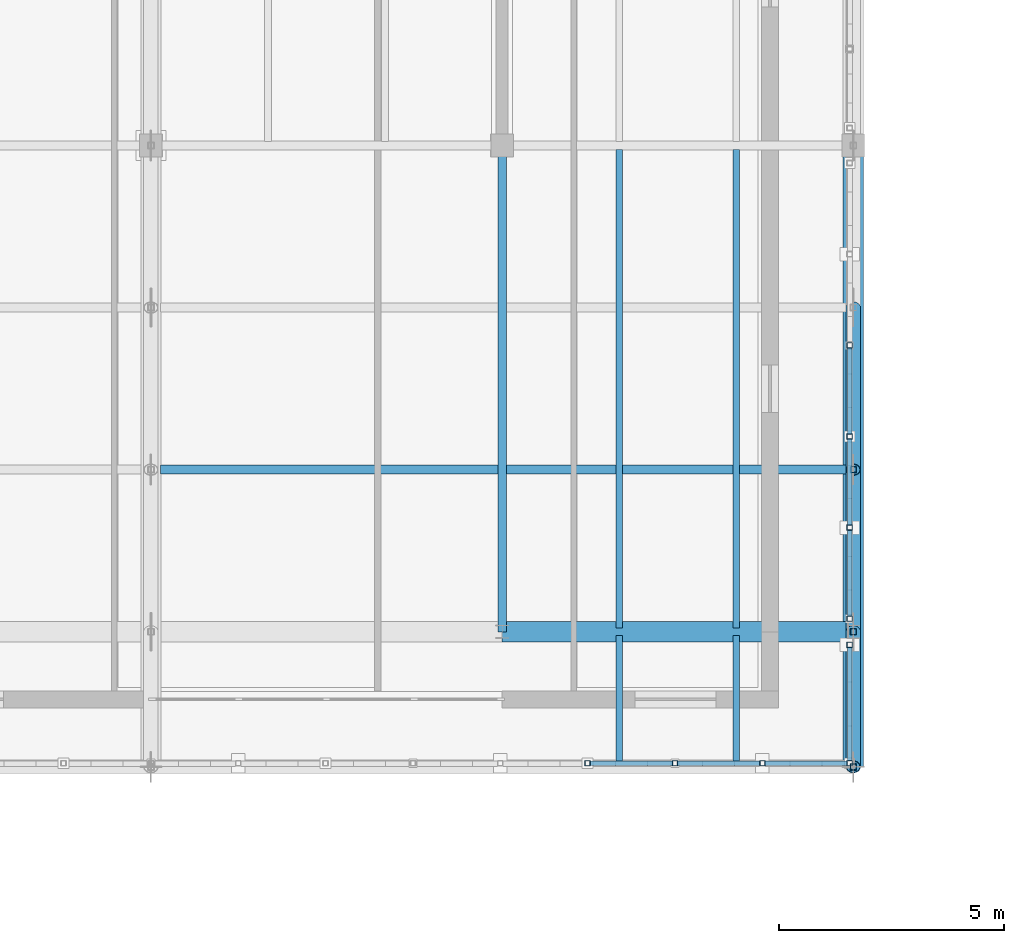
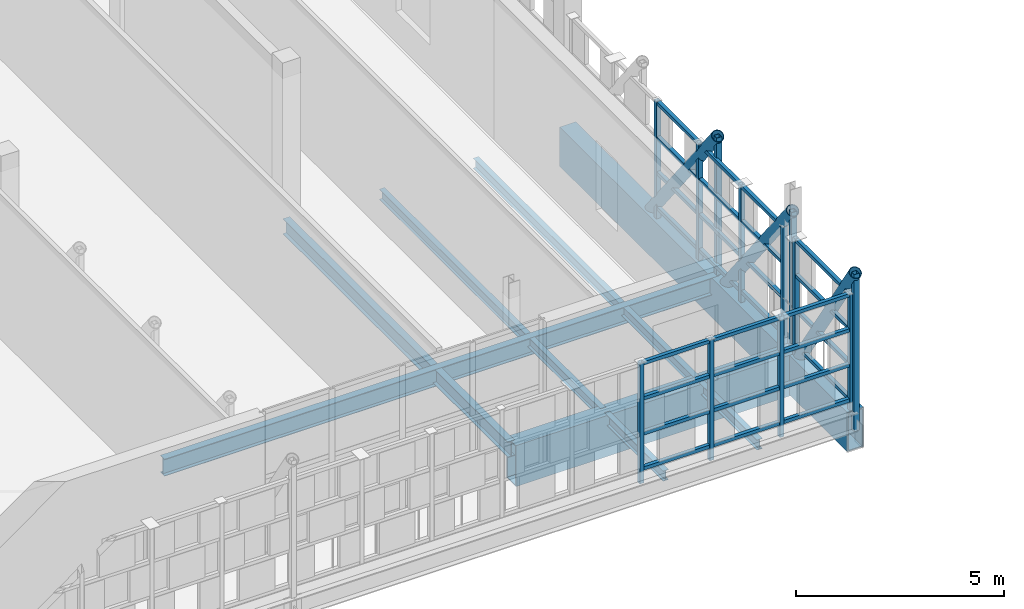
# One storey, part 26 of 89: 43 members, 8 beams.
"""IFC4 building model written with IfcOpenShell, lengths in metres."""

from ifc_helpers import new_model, si_unit, direction, frame, origin, origin_2d, place, context, subcontext, project, spatial, hollow_rectangle, hollow_circle, i_section, extrude, material, material_profile, profile_set, type_object, element, save


model = new_model("IFC4")

# Units and contexts
model_context = context("Model", 3, precision=1e-05, world=origin(), true_north=direction((0.0, 1.0)))
body_context = subcontext(model_context, "Body", "Model", "MODEL_VIEW")
ifc_project = project(units=[si_unit("LENGTHUNIT", "METRE"), si_unit("AREAUNIT", "SQUARE_METRE"), si_unit("VOLUMEUNIT", "CUBIC_METRE"), si_unit("PLANEANGLEUNIT", "RADIAN"), si_unit("MASSUNIT", "GRAM", prefix="KILO")], contexts=[model_context])

# Site, building, storey
site_placement = place(None, origin())
site = spatial("IfcSite", under=ifc_project, at=site_placement, CompositionType="ELEMENT")
building_placement = place(site_placement, origin())
building = spatial("IfcBuilding", under=site, at=building_placement, Name="Celorna Specialist Clinic", CompositionType="ELEMENT")
storey_placement = place(building_placement, frame((0.0, 0.0, 14.10009765625)))
storey = spatial("IfcBuildingStorey", under=building, at=storey_placement, Name="L03", CompositionType="ELEMENT", Elevation=14.10009765625)

# Beams
ifc_material = material(Name="Steel S355", Category="steel")
ifc_material_profile_1 = material_profile(ifc_material, hollow_rectangle(XDim=0.449951171875, YDim=1.14990234375, WallThickness=0.031982421875, at=origin_2d()), Name="BOX 450x1150x32")
ifc_profile_set_1 = profile_set([ifc_material_profile_1], Name="Steel S355")
beam_type_1 = type_object("IfcBeamType", Name="BM-01", PredefinedType="BEAM", material=ifc_profile_set_1)
beam_1_placement = place(storey_placement, frame((85.800048828125, 5.699951171875, -0.835205078125), z_axis=(0.0, 1.0, 0.0), x_axis=(-1.0, 0.0, 0.0)))
element("IfcBeam", 1, at=beam_1_placement, inside=storey, type_object=beam_type_1, Name="Cantilever Pratt truss chord WP-070-WP-071", PredefinedType="BEAM", context=body_context, shape_type="SweptSolid", body=[
    extrude(hollow_rectangle(XDim=0.449951171875, YDim=1.14990234375, WallThickness=0.031982421875, at=origin_2d()), origin(), (0.0, 0.0, 1.0), 13.800048828125),
])
ifc_material_profile_2 = material_profile(ifc_material, hollow_rectangle(XDim=0.449951171875, YDim=1.199951171875, WallThickness=0.031982421875, at=origin_2d()), Name="BOX 450x1200x32")
ifc_profile_set_2 = profile_set([ifc_material_profile_2], Name="Steel S355")
beam_type_2 = type_object("IfcBeamType", Name="BM-02", PredefinedType="BEAM", material=ifc_profile_set_2)
beam_2_placement = place(storey_placement, frame((78.0, 8.699951171875, -0.860107421875), z_axis=(1.0, 0.0, 0.0), x_axis=(0.0, 1.0, 0.0)))
element("IfcBeam", 2, at=beam_2_placement, inside=storey, type_object=beam_type_2, Name="Portico transfer box girder BM-02 #16", PredefinedType="BEAM", context=body_context, shape_type="SweptSolid", body=[
    extrude(hollow_rectangle(XDim=0.449951171875, YDim=1.199951171875, WallThickness=0.031982421875, at=origin_2d()), origin(), (0.0, 0.0, 1.0), 7.800048828125),
])
ifc_material_profile_3 = material_profile(ifc_material, i_section(OverallWidth=0.199951171875, OverallDepth=0.5, WebThickness=0.01025390625, FlangeThickness=0.01611328125, at=origin_2d()), Name="IPE 500")
ifc_profile_set_3 = profile_set([ifc_material_profile_3], Name="Steel S355")
beam_type_3 = type_object("IfcBeamType", Name="BM-08", PredefinedType="BEAM", material=ifc_profile_set_3)
beam_3_placement = place(storey_placement, frame((70.4150390625, 12.300048828125, -0.510009765625), z_axis=(1.0, 0.0, 0.0), x_axis=(0.0, 1.0, 0.0)))
element("IfcBeam", 3, at=beam_3_placement, inside=storey, type_object=beam_type_3, Name="Cantilever floor girder BM-08 #24", PredefinedType="BEAM", context=body_context, shape_type="SweptSolid", body=[
    extrude(i_section(OverallWidth=0.199951171875, OverallDepth=0.5, WebThickness=0.01025390625, FlangeThickness=0.01611328125, at=origin_2d()), origin(), (0.0, 0.0, 1.0), 15.385009765625),
])
ifc_material_profile_4 = material_profile(ifc_material, i_section(OverallWidth=0.18994140625, OverallDepth=0.449951171875, WebThickness=0.009521484375, FlangeThickness=0.0146484375, at=origin_2d()), Name="IPE 450")
ifc_profile_set_4 = profile_set([ifc_material_profile_4], Name="Steel S355")
beam_type_4 = type_object("IfcBeamType", Name="BM-09", PredefinedType="BEAM", material=ifc_profile_set_4)
beam_4_placement = place(storey_placement, frame((78.0, 8.699951171875, -0.485107421875), z_axis=(0.0, 1.0, 0.0), x_axis=(-1.0, 0.0, 0.0)))
element("IfcBeam", 4, at=beam_4_placement, inside=storey, type_object=beam_type_4, Name="Transverse girder BM-09 #2176", PredefinedType="BEAM", context=body_context, shape_type="SweptSolid", body=[
    extrude(i_section(OverallWidth=0.18994140625, OverallDepth=0.449951171875, WebThickness=0.009521484375, FlangeThickness=0.0146484375, at=origin_2d()), origin(), (0.0, 0.0, 1.0), 10.800048828125),
])
ifc_material_profile_5 = material_profile(ifc_material, i_section(OverallWidth=0.14990234375, OverallDepth=0.300048828125, WebThickness=0.007080078125, FlangeThickness=0.0107421875, at=origin_2d()), Name="IPE 300")
ifc_profile_set_5 = profile_set([ifc_material_profile_5], Name="Steel S355")
beam_type_5 = type_object("IfcBeamType", Name="BM-13", PredefinedType="JOIST", material=ifc_profile_set_5)
for number, where, z_axis, x_axis, name in (
    (5, (80.60009765625, 5.7880859375, -0.41015625), (0.0, 1.0, 0.0), (-1.0, 0.0, 0.0), "Secondary floor joist BM-13 #2190"),
    (6, (83.199951171875, 5.7880859375, -0.41015625), (0.0, 1.0, 0.0), (-1.0, 0.0, 0.0), "Secondary floor joist BM-13 #2191"),
):
    element("IfcBeam", number, at=place(storey_placement, frame(where, z_axis=z_axis, x_axis=x_axis)), inside=storey, type_object=beam_type_5, Name=name, PredefinedType="JOIST", context=body_context, shape_type="SweptSolid", body=[
        extrude(i_section(OverallWidth=0.14990234375, OverallDepth=0.300048828125, WebThickness=0.007080078125, FlangeThickness=0.0107421875, at=origin_2d()), origin(), (0.0, 0.0, 1.0), 2.823974609375),
    ])
for number, where, z_axis, x_axis, name in (
    (7, (80.60009765625, 8.7880859375, -0.41015625), (0.0, 1.0, 0.0), (-1.0, 0.0, 0.0), "Secondary floor joist BM-13 #2192"),
    (8, (83.199951171875, 8.7880859375, -0.41015625), (0.0, 1.0, 0.0), (-1.0, 0.0, 0.0), "Secondary floor joist BM-13 #2193"),
):
    element("IfcBeam", number, at=place(storey_placement, frame(where, z_axis=z_axis, x_axis=x_axis)), inside=storey, type_object=beam_type_5, Name=name, PredefinedType="JOIST", context=body_context, shape_type="SweptSolid", body=[
        extrude(i_section(OverallWidth=0.14990234375, OverallDepth=0.300048828125, WebThickness=0.007080078125, FlangeThickness=0.0107421875, at=origin_2d()), origin(), (0.0, 0.0, 1.0), 10.6240234375),
    ])

# Members
ifc_material_profile_6 = material_profile(ifc_material, hollow_circle(Radius=0.161865234375, WallThickness=0.01611328125, at=origin_2d()), Name="CHS 323.9x16")
ifc_profile_set_6 = profile_set([ifc_material_profile_6], Name="Steel S355")
member_type_1 = type_object("IfcMemberType", Name="MB-05", PredefinedType="BRACE", material=ifc_profile_set_6)
member_placement = place(storey_placement, frame((85.800048828125, 5.699951171875, 3.764892578125), z_axis=(0.0, 0.546259644245, -0.837615903066), x_axis=(-1.0, 0.0, 0.0)))
element("IfcMember", 9, at=member_placement, inside=storey, type_object=member_type_1, Name="Cantilever Pratt truss web diagonal WP-075-WP-081", PredefinedType="BRACE", context=body_context, shape_type="SweptSolid", body=[
    extrude(hollow_circle(Radius=0.161865234375, WallThickness=0.01611328125, at=origin_2d()), origin(), (0.0, 0.0, 1.0), 5.491943359375),
])
for number, where, z_axis, x_axis, name in (
    (10, (85.800048828125, 8.699951171875, 3.764892578125), (0.0, 0.616310515553, -0.787503237085), (-1.0, 0.0, 0.0), "Cantilever Pratt truss web diagonal WP-092-WP-083"),
    (11, (85.800048828125, 12.300048828125, 3.764892578125), (0.0, 0.616284594847, -0.787523522286), (-1.0, 0.0, 0.0), "Cantilever Pratt truss web diagonal WP-093-WP-085"),
):
    element("IfcMember", number, at=place(storey_placement, frame(where, z_axis=z_axis, x_axis=x_axis)), inside=storey, type_object=member_type_1, Name=name, PredefinedType="BRACE", context=body_context, shape_type="SweptSolid", body=[
        extrude(hollow_circle(Radius=0.161865234375, WallThickness=0.01611328125, at=origin_2d()), origin(), (0.0, 0.0, 1.0), 5.84130859375),
    ])
ifc_material_profile_7 = material_profile(ifc_material, hollow_rectangle(XDim=0.139892578125, YDim=0.139892578125, WallThickness=0.008056640625, at=origin_2d()), Name="SHS 140x140x8")
ifc_profile_set_7 = profile_set([ifc_material_profile_7], Name="Steel S355")
member_type_2 = type_object("IfcMemberType", Name="MB-10", PredefinedType="CHORD", material=ifc_profile_set_7)
for number, where, z_axis, x_axis, name in (
    (12, (85.800048828125, 5.699951171875, -0.835205078125), (0.0, 0.0, 1.0), (1.0, 0.0, 0.0), "Cantilever Pratt truss vertical post WP-070-WP-075"),
    (13, (85.800048828125, 8.699951171875, -0.835205078125), (0.0, 0.0, 1.0), (1.0, 0.0, 0.0), "Cantilever Pratt truss vertical post WP-081-WP-092"),
    (14, (85.800048828125, 12.300048828125, -0.835205078125), (0.0, 0.0, 1.0), (1.0, 0.0, 0.0), "Cantilever Pratt truss vertical post WP-083-WP-093"),
):
    element("IfcMember", number, at=place(storey_placement, frame(where, z_axis=z_axis, x_axis=x_axis)), inside=storey, type_object=member_type_2, Name=name, PredefinedType="CHORD", context=body_context, shape_type="SweptSolid", body=[
        extrude(hollow_rectangle(XDim=0.139892578125, YDim=0.139892578125, WallThickness=0.008056640625, at=origin_2d()), origin(), (0.0, 0.0, 1.0), 4.60009765625),
    ])
ifc_material_profile_8 = material_profile(ifc_material, hollow_rectangle(XDim=0.1201171875, YDim=0.1201171875, WallThickness=0.008056640625, at=origin_2d()), Name="SHS 120x120x8")
ifc_profile_set_8 = profile_set([ifc_material_profile_8], Name="Steel S355")
member_type_3 = type_object("IfcMemberType", Name="MB-11", PredefinedType="STUD", material=ifc_profile_set_8)
for number, where, z_axis, x_axis, name in (
    (15, (79.89990234375, 5.780029296875, -0.360107421875), (0.0, 0.0, 1.0), (1.0, 0.0, 0.0), "Perforated screen steel post #95"),
    (16, (81.840087890625, 5.780029296875, -0.360107421875), (0.0, 0.0, 1.0), (1.0, 0.0, 0.0), "Perforated screen steel post #96"),
    (17, (83.780029296875, 5.780029296875, -0.360107421875), (0.0, 0.0, 1.0), (1.0, 0.0, 0.0), "Perforated screen steel post #97"),
    (18, (85.719970703125, 5.780029296875, -0.360107421875), (0.0, 0.0, 1.0), (1.0, 0.0, 0.0), "Perforated screen steel post #98"),
    (19, (85.719970703125, 8.409912109375, -0.360107421875), (0.0, 0.0, 1.0), (1.0, 0.0, 0.0), "Perforated screen steel post #445"),
    (20, (85.719970703125, 8.989990234375, -0.360107421875), (0.0, 0.0, 1.0), (1.0, 0.0, 0.0), "Perforated screen steel post #450"),
    (21, (85.719970703125, 11.013916015625, -0.360107421875), (0.0, 0.0, 1.0), (1.0, 0.0, 0.0), "Perforated screen steel post #451"),
    (22, (85.719970703125, 13.0380859375, -0.360107421875), (0.0, 0.0, 1.0), (1.0, 0.0, 0.0), "Perforated screen steel post #452"),
    (23, (85.719970703125, 15.06201171875, -0.360107421875), (0.0, 0.0, 1.0), (1.0, 0.0, 0.0), "Perforated screen steel post #453"),
):
    element("IfcMember", number, at=place(storey_placement, frame(where, z_axis=z_axis, x_axis=x_axis)), inside=storey, type_object=member_type_3, Name=name, PredefinedType="STUD", context=body_context, shape_type="SweptSolid", body=[
        extrude(hollow_rectangle(XDim=0.1201171875, YDim=0.1201171875, WallThickness=0.008056640625, at=origin_2d()), origin(), (0.0, 0.0, 1.0), 3.5400390625),
    ])
ifc_material_profile_9 = material_profile(ifc_material, hollow_rectangle(XDim=0.10009765625, YDim=0.10009765625, WallThickness=0.006103515625, at=origin_2d()), Name="SHS 100x100x6")
ifc_profile_set_9 = profile_set([ifc_material_profile_9], Name="Steel S355")
member_type_4 = type_object("IfcMemberType", Name="MB-12", PredefinedType="STUD", material=ifc_profile_set_9)
for number, where, z_axis, x_axis, name in (
    (24, (79.9599609375, 5.780029296875, 0.0498046875), (1.0, 0.0, 0.0), (0.0, 1.0, 0.0), "Perforated screen rail #151"),
    (25, (79.9599609375, 5.780029296875, 1.07666015625), (1.0, 0.0, 0.0), (0.0, 1.0, 0.0), "Perforated screen rail #152"),
    (26, (79.9599609375, 5.780029296875, 2.103271484375), (1.0, 0.0, 0.0), (0.0, 1.0, 0.0), "Perforated screen rail #153"),
    (27, (79.9599609375, 5.780029296875, 3.1298828125), (1.0, 0.0, 0.0), (0.0, 1.0, 0.0), "Perforated screen rail #154"),
    (28, (81.89990234375, 5.780029296875, 0.0498046875), (1.0, 0.0, 0.0), (0.0, 1.0, 0.0), "Perforated screen rail #155"),
    (29, (81.89990234375, 5.780029296875, 1.07666015625), (1.0, 0.0, 0.0), (0.0, 1.0, 0.0), "Perforated screen rail #156"),
    (30, (81.89990234375, 5.780029296875, 2.103271484375), (1.0, 0.0, 0.0), (0.0, 1.0, 0.0), "Perforated screen rail #157"),
    (31, (81.89990234375, 5.780029296875, 3.1298828125), (1.0, 0.0, 0.0), (0.0, 1.0, 0.0), "Perforated screen rail #158"),
):
    element("IfcMember", number, at=place(storey_placement, frame(where, z_axis=z_axis, x_axis=x_axis)), inside=storey, type_object=member_type_4, Name=name, PredefinedType="STUD", context=body_context, shape_type="SweptSolid", body=[
        extrude(hollow_rectangle(XDim=0.10009765625, YDim=0.10009765625, WallThickness=0.006103515625, at=origin_2d()), origin(), (0.0, 0.0, 1.0), 1.820068359375),
    ])
for number, where, z_axis, x_axis, name in (
    (32, (83.840087890625, 5.780029296875, 0.0498046875), (1.0, 0.0, 0.0), (0.0, 1.0, 0.0), "Perforated screen rail #159"),
    (33, (83.840087890625, 5.780029296875, 1.07666015625), (1.0, 0.0, 0.0), (0.0, 1.0, 0.0), "Perforated screen rail #160"),
    (34, (83.840087890625, 5.780029296875, 2.103271484375), (1.0, 0.0, 0.0), (0.0, 1.0, 0.0), "Perforated screen rail #161"),
    (35, (83.840087890625, 5.780029296875, 3.1298828125), (1.0, 0.0, 0.0), (0.0, 1.0, 0.0), "Perforated screen rail #162"),
):
    element("IfcMember", number, at=place(storey_placement, frame(where, z_axis=z_axis, x_axis=x_axis)), inside=storey, type_object=member_type_4, Name=name, PredefinedType="STUD", context=body_context, shape_type="SweptSolid", body=[
        extrude(hollow_rectangle(XDim=0.10009765625, YDim=0.10009765625, WallThickness=0.006103515625, at=origin_2d()), origin(), (0.0, 0.0, 1.0), 1.81982421875),
    ])
for number, where, z_axis, x_axis, name in (
    (36, (85.719970703125, 5.840087890625, 0.0498046875), (0.0, 1.0, 0.0), (-1.0, 0.0, 0.0), "Perforated screen rail #446"),
    (37, (85.719970703125, 5.840087890625, 1.07666015625), (0.0, 1.0, 0.0), (-1.0, 0.0, 0.0), "Perforated screen rail #447"),
    (38, (85.719970703125, 5.840087890625, 2.103271484375), (0.0, 1.0, 0.0), (-1.0, 0.0, 0.0), "Perforated screen rail #448"),
    (39, (85.719970703125, 5.840087890625, 3.1298828125), (0.0, 1.0, 0.0), (-1.0, 0.0, 0.0), "Perforated screen rail #449"),
):
    element("IfcMember", number, at=place(storey_placement, frame(where, z_axis=z_axis, x_axis=x_axis)), inside=storey, type_object=member_type_4, Name=name, PredefinedType="STUD", context=body_context, shape_type="SweptSolid", body=[
        extrude(hollow_rectangle(XDim=0.10009765625, YDim=0.10009765625, WallThickness=0.006103515625, at=origin_2d()), origin(), (0.0, 0.0, 1.0), 2.510009765625),
    ])
for number, where, z_axis, x_axis, name in (
    (40, (85.719970703125, 9.050048828125, 0.0498046875), (0.0, 1.0, 0.0), (-1.0, 0.0, 0.0), "Perforated screen rail #456"),
    (41, (85.719970703125, 9.050048828125, 1.07666015625), (0.0, 1.0, 0.0), (-1.0, 0.0, 0.0), "Perforated screen rail #457"),
    (42, (85.719970703125, 9.050048828125, 2.103271484375), (0.0, 1.0, 0.0), (-1.0, 0.0, 0.0), "Perforated screen rail #458"),
    (43, (85.719970703125, 9.050048828125, 3.1298828125), (0.0, 1.0, 0.0), (-1.0, 0.0, 0.0), "Perforated screen rail #459"),
    (44, (85.719970703125, 11.073974609375, 0.0498046875), (0.0, 1.0, 0.0), (-1.0, 0.0, 0.0), "Perforated screen rail #460"),
    (45, (85.719970703125, 11.073974609375, 1.07666015625), (0.0, 1.0, 0.0), (-1.0, 0.0, 0.0), "Perforated screen rail #461"),
    (46, (85.719970703125, 11.073974609375, 2.103271484375), (0.0, 1.0, 0.0), (-1.0, 0.0, 0.0), "Perforated screen rail #462"),
    (47, (85.719970703125, 11.073974609375, 3.1298828125), (0.0, 1.0, 0.0), (-1.0, 0.0, 0.0), "Perforated screen rail #463"),
    (48, (85.719970703125, 13.097900390625, 0.0498046875), (0.0, 1.0, 0.0), (-1.0, 0.0, 0.0), "Perforated screen rail #464"),
    (49, (85.719970703125, 13.097900390625, 1.07666015625), (0.0, 1.0, 0.0), (-1.0, 0.0, 0.0), "Perforated screen rail #465"),
    (50, (85.719970703125, 13.097900390625, 2.103271484375), (0.0, 1.0, 0.0), (-1.0, 0.0, 0.0), "Perforated screen rail #466"),
    (51, (85.719970703125, 13.097900390625, 3.1298828125), (0.0, 1.0, 0.0), (-1.0, 0.0, 0.0), "Perforated screen rail #467"),
):
    element("IfcMember", number, at=place(storey_placement, frame(where, z_axis=z_axis, x_axis=x_axis)), inside=storey, type_object=member_type_4, Name=name, PredefinedType="STUD", context=body_context, shape_type="SweptSolid", body=[
        extrude(hollow_rectangle(XDim=0.10009765625, YDim=0.10009765625, WallThickness=0.006103515625, at=origin_2d()), origin(), (0.0, 0.0, 1.0), 1.904052734375),
    ])

save(model, "model.ifc")
